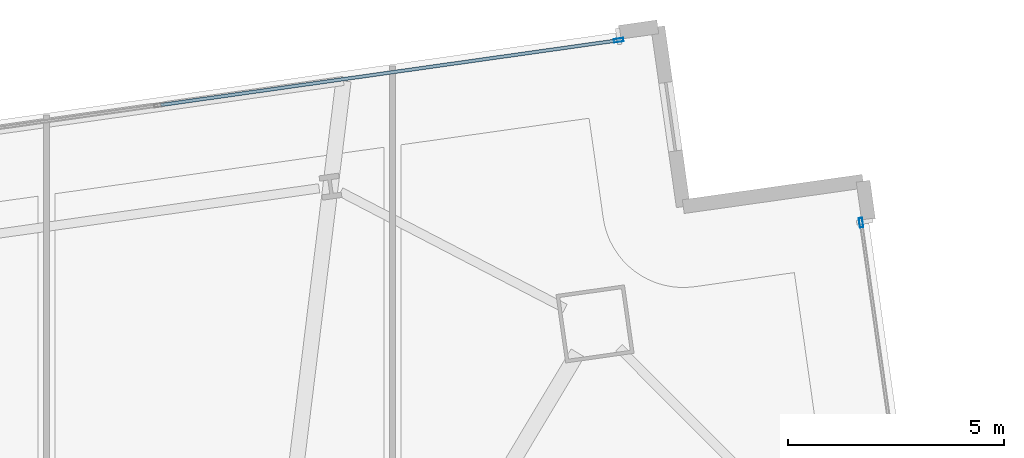
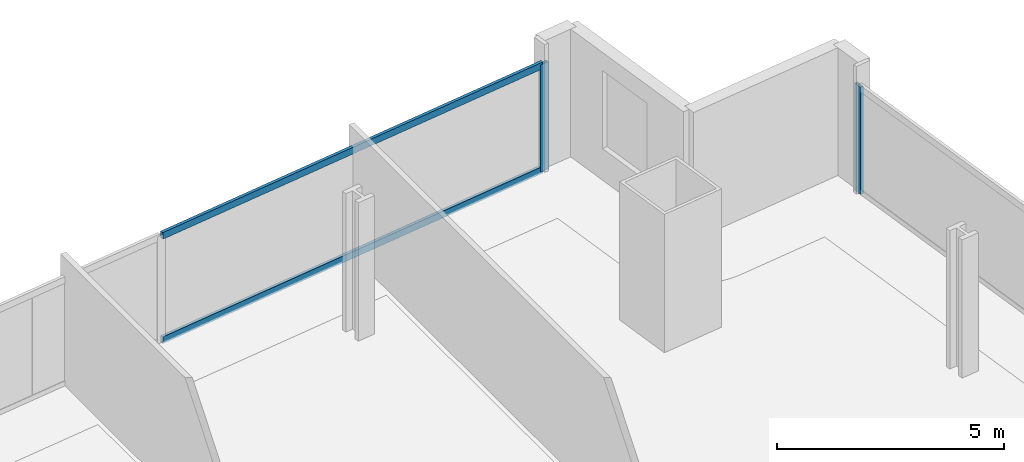
# One storey, part 23 of 33: 4 members, 2 elements without a shape of their own.
"""IFC4 building model written with IfcOpenShell, lengths in metres."""

from ifc_helpers import new_model, si_unit, direction, frame, origin, origin_2d, place, context, subcontext, project, spatial, hollow_rectangle, extrude, material, material_profile, profile_set, type_object, element, aggregate, save


model = new_model("IFC4")

# Units and contexts
model_context = context("Model", 3, precision=1e-05, world=origin(), true_north=direction((0.0, 1.0)))
body_context = subcontext(model_context, "Body", "Model", "MODEL_VIEW")
ifc_project = project(units=[si_unit("LENGTHUNIT", "METRE"), si_unit("AREAUNIT", "SQUARE_METRE"), si_unit("VOLUMEUNIT", "CUBIC_METRE"), si_unit("PLANEANGLEUNIT", "RADIAN"), si_unit("MASSUNIT", "GRAM", prefix="KILO")], contexts=[model_context])

# Site, building, storey
site_placement = place(None, origin())
site = spatial("IfcSite", under=ifc_project, at=site_placement, CompositionType="ELEMENT")
building_placement = place(site_placement, origin())
building = spatial("IfcBuilding", under=site, at=building_placement, Name="Haldenkirk Collegiate Tower", CompositionType="ELEMENT")
storey_placement = place(building_placement, frame((0.0, 0.0, 55.199951171875)))
storey = spatial("IfcBuildingStorey", under=building, at=storey_placement, Name="L12", CompositionType="ELEMENT", Elevation=55.199951171875)

# Curtain wall, member
ifc_material = material(Name="Anodised architectural bronze aluminium", Category="aluminium")
curtain_wall_type = type_object("IfcCurtainWallType", Name="CW-SYS1-CONVEX-LOW", PredefinedType="USERDEFINED", material=ifc_material)
curtain_wall_1_placement = place(storey_placement, origin())
curtain_wall_1 = element("IfcCurtainWall", 1, at=curtain_wall_1_placement, inside=storey, type_object=curtain_wall_type, Name="L12 Lower tower convex bronze-framed unitised curtain wall", ObjectType="UNITISED CURTAIN WALL", PredefinedType="USERDEFINED")
ifc_material_profile_1 = material_profile(ifc_material, hollow_rectangle(XDim=0.080078125, YDim=0.219970703125, WallThickness=0.0048828125, at=origin_2d()), Name="CW-MUL-1A")
ifc_profile_set_1 = profile_set([ifc_material_profile_1], Name="Anodised architectural bronze aluminium")
member_type_1 = type_object("IfcMemberType", Name="CW-MUL-1A", PredefinedType="MULLION", material=ifc_profile_set_1)
member_1_placement = place(storey_placement, frame((59.3369140625, 50.0146484375, 0.0), z_axis=(0.0, 0.0, 1.0), x_axis=(0.990145921918, 0.140039470541, 0.0)))
member_1 = element("IfcMember", 2, at=member_1_placement, type_object=member_type_1, Name="CW-1A mullion 1", PredefinedType="MULLION", context=body_context, shape_type="SweptSolid", body=[
    extrude(hollow_rectangle(XDim=0.080078125, YDim=0.219970703125, WallThickness=0.0048828125, at=origin_2d()), origin(), (0.0, 0.0, 1.0), 2.89111328125),
])
aggregate(curtain_wall_1, [member_1])

# Curtain wall, members
curtain_wall_2_placement = place(storey_placement, origin())
curtain_wall_2 = element("IfcCurtainWall", 3, at=curtain_wall_2_placement, inside=storey, type_object=curtain_wall_type, Name="L12 Lower tower convex bronze-framed unitised curtain wall", ObjectType="UNITISED CURTAIN WALL", PredefinedType="USERDEFINED")
member_2_placement = place(storey_placement, frame((53.731201171875, 54.231201171875, 0.0), z_axis=(0.0, 0.0, 1.0), x_axis=(-0.140039409054, 0.990145930614, 0.0)))
member_2 = element("IfcMember", 4, at=member_2_placement, type_object=member_type_1, Name="CW-1A mullion 5", PredefinedType="MULLION", context=body_context, shape_type="SweptSolid", body=[
    extrude(hollow_rectangle(XDim=0.080078125, YDim=0.219970703125, WallThickness=0.0048828125, at=origin_2d()), origin(), (0.0, 0.0, 1.0), 2.89111328125),
])
ifc_material_profile_2 = material_profile(ifc_material, hollow_rectangle(XDim=0.080078125, YDim=0.179931640625, WallThickness=0.0048828125, at=origin_2d()), Name="CW-TRN-1A")
ifc_profile_set_2 = profile_set([ifc_material_profile_2], Name="Anodised architectural bronze aluminium")
member_type_2 = type_object("IfcMemberType", Name="CW-TRN-1A", PredefinedType="USERDEFINED", material=ifc_profile_set_2)
member_3_placement = place(storey_placement, frame((43.1416015625, 52.733642578125, 0.0400390625), z_axis=(0.990148308803, 0.140022593088, 0.0), x_axis=(-0.140022593088, 0.990148308803, 0.0)))
member_3 = element("IfcMember", 5, at=member_3_placement, type_object=member_type_2, Name="CW-1A transom 4.1", ObjectType="TRANSOM", PredefinedType="USERDEFINED", context=body_context, shape_type="SweptSolid", body=[
    extrude(hollow_rectangle(XDim=0.080078125, YDim=0.179931640625, WallThickness=0.0048828125, at=origin_2d()), origin(), (0.0, 0.0, 1.0), 10.655029296875),
])
member_4_placement = place(storey_placement, frame((43.1416015625, 52.733642578125, 2.85107421875), z_axis=(0.990148308803, 0.140022593088, 0.0), x_axis=(-0.140022593088, 0.990148308803, 0.0)))
member_4 = element("IfcMember", 6, at=member_4_placement, type_object=member_type_2, Name="CW-1A transom 4.2", ObjectType="TRANSOM", PredefinedType="USERDEFINED", context=body_context, shape_type="SweptSolid", body=[
    extrude(hollow_rectangle(XDim=0.080078125, YDim=0.179931640625, WallThickness=0.0048828125, at=origin_2d()), origin(), (0.0, 0.0, 1.0), 10.655029296875),
])
aggregate(curtain_wall_2, [member_2, member_3, member_4])

save(model, "model.ifc")
